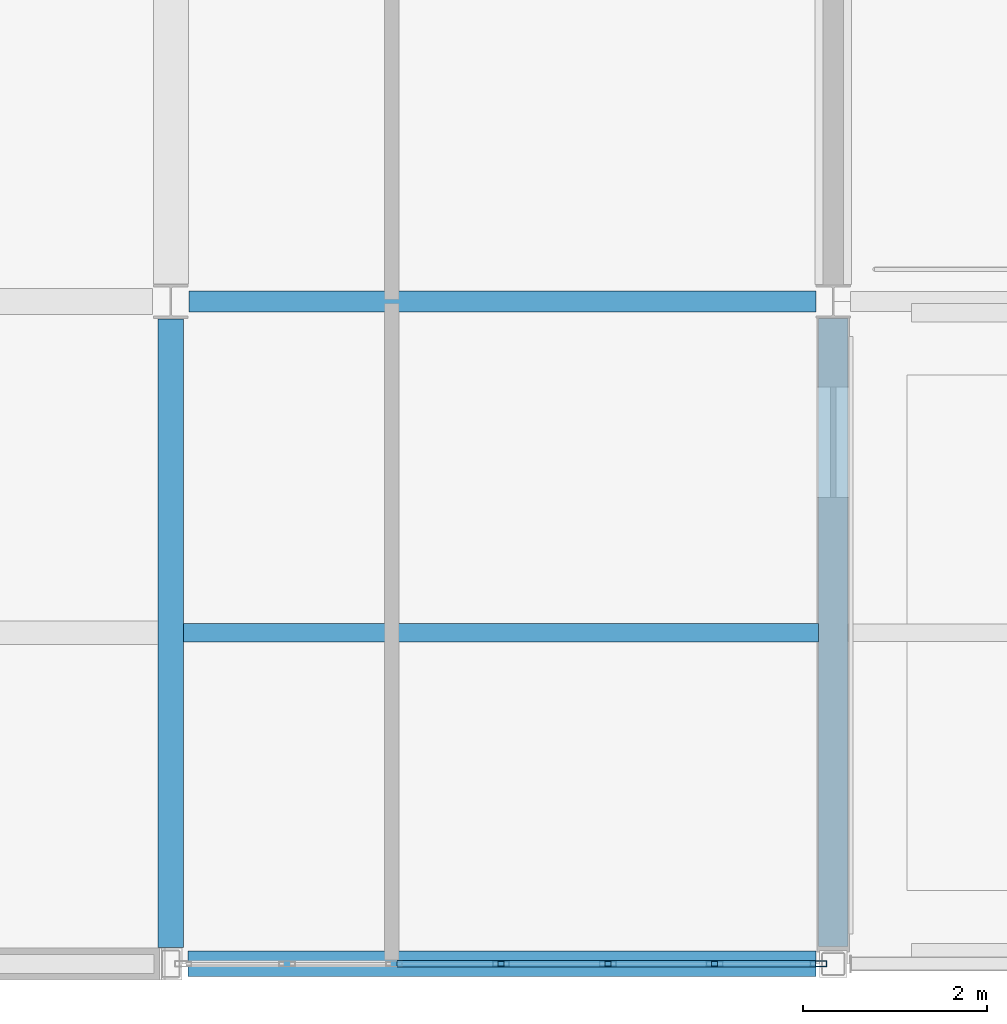
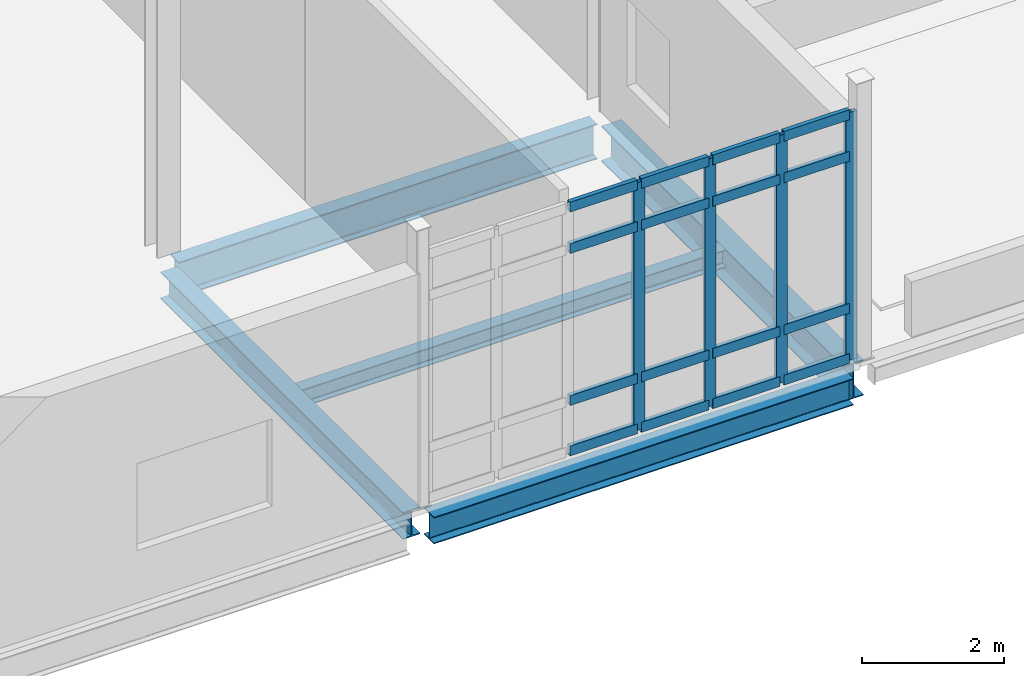
# One storey, part 25 of 72: 20 members, 5 beams, 1 element without a shape of its own.
"""IFC4 building model written with IfcOpenShell, lengths in metres."""

from ifc_helpers import new_model, si_unit, direction, frame, origin, origin_2d, place, context, subcontext, project, spatial, hollow_rectangle, i_section, extrude, material, layer, layer_set, material_profile, profile_set, type_object, element, aggregate, save


model = new_model("IFC4")

# Units and contexts
model_context = context("Model", 3, precision=1e-05, world=origin(), true_north=direction((0.0, 1.0)))
body_context = subcontext(model_context, "Body", "Model", "MODEL_VIEW")
ifc_project = project(units=[si_unit("LENGTHUNIT", "METRE"), si_unit("AREAUNIT", "SQUARE_METRE"), si_unit("VOLUMEUNIT", "CUBIC_METRE"), si_unit("PLANEANGLEUNIT", "RADIAN"), si_unit("MASSUNIT", "GRAM", prefix="KILO")], contexts=[model_context])

# Site, building, storey
site_placement = place(None, origin())
site = spatial("IfcSite", under=ifc_project, at=site_placement, CompositionType="ELEMENT")
building_placement = place(site_placement, origin())
building = spatial("IfcBuilding", under=site, at=building_placement, Name="Calvrana Isthmian Art Gallery", CompositionType="ELEMENT")
storey_placement = place(building_placement, frame((0.0, 0.0, 15.0)))
storey = spatial("IfcBuildingStorey", under=building, at=storey_placement, Name="L03", CompositionType="ELEMENT", Elevation=15.0)

# Beams
ifc_material_1 = material(Name="Steel ASTM A992 Gr 50", Category="steel")
ifc_material_profile_1 = material_profile(ifc_material_1, i_section(OverallWidth=0.279052734375, OverallDepth=0.4619140625, WebThickness=0.0107421875, FlangeThickness=0.017333984375, FilletRadius=0.02001953125, at=origin_2d()), Name="W18X76")
ifc_profile_set_1 = profile_set([ifc_material_profile_1], Name="Steel ASTM A992 Gr 50")
beam_type_1 = type_object("IfcBeamType", Name="BM-G-W18X76", PredefinedType="BEAM", material=ifc_profile_set_1)
beam_1_placement = place(storey_placement, frame((134.583984375, 14.39990234375, -0.47607421875), z_axis=(1.0, 0.0, 0.0), x_axis=(0.0, 1.0, 0.0)))
element("IfcBeam", 1, at=beam_1_placement, inside=storey, type_object=beam_type_1, Name="Girder X L03 18-19/C", PredefinedType="BEAM", context=body_context, shape_type="SweptSolid", body=[
    extrude(i_section(OverallWidth=0.279052734375, OverallDepth=0.4619140625, WebThickness=0.0107421875, FlangeThickness=0.017333984375, FilletRadius=0.02001953125, at=origin_2d()), origin(), (0.0, 0.0, 1.0), 6.82958984375),
])
beam_2_placement = place(storey_placement, frame((134.39990234375, 14.577880859375, -0.47607421875), z_axis=(0.0, 1.0, 0.0), x_axis=(-1.0, 0.0, 0.0)))
element("IfcBeam", 2, at=beam_2_placement, inside=storey, type_object=beam_type_1, Name="Girder Y L03 18/C-D", PredefinedType="BEAM", context=body_context, shape_type="SweptSolid", body=[
    extrude(i_section(OverallWidth=0.279052734375, OverallDepth=0.4619140625, WebThickness=0.0107421875, FlangeThickness=0.017333984375, FilletRadius=0.02001953125, at=origin_2d()), origin(), (0.0, 0.0, 1.0), 6.834228515625),
])
ifc_material_profile_2 = material_profile(ifc_material_1, i_section(OverallWidth=0.324951171875, OverallDepth=0.612060546875, WebThickness=0.0126953125, FlangeThickness=0.01904296875, FilletRadius=0.02197265625, at=origin_2d()), Name="W24X104")
ifc_profile_set_2 = profile_set([ifc_material_profile_2], Name="Steel ASTM A992 Gr 50")
beam_type_2 = type_object("IfcBeamType", Name="BM-G-W24X104", PredefinedType="BEAM", material=ifc_profile_set_2)
beam_3_placement = place(storey_placement, frame((141.60009765625, 14.58642578125, -0.551025390625), z_axis=(0.0, 1.0, 0.0), x_axis=(-1.0, 0.0, 0.0)))
element("IfcBeam", 3, at=beam_3_placement, inside=storey, type_object=beam_type_2, Name="Girder Y L03 19/C-D", PredefinedType="BEAM", context=body_context, shape_type="SweptSolid", body=[
    extrude(i_section(OverallWidth=0.324951171875, OverallDepth=0.612060546875, WebThickness=0.0126953125, FlangeThickness=0.01904296875, FilletRadius=0.02197265625, at=origin_2d()), origin(), (0.0, 0.0, 1.0), 6.8271484375),
])
ifc_material_profile_3 = material_profile(ifc_material_1, i_section(OverallWidth=0.22802734375, OverallDepth=0.60693359375, WebThickness=0.01123046875, FlangeThickness=0.017333984375, FilletRadius=0.02197265625, at=origin_2d()), Name="W24X76")
ifc_profile_set_3 = profile_set([ifc_material_profile_3], Name="Steel ASTM A992 Gr 50")
beam_type_3 = type_object("IfcBeamType", Name="BM-G-W24X76", PredefinedType="BEAM", material=ifc_profile_set_3)
beam_4_placement = place(storey_placement, frame((134.596923828125, 21.60009765625, -0.548583984375), z_axis=(1.0, 0.0, 0.0), x_axis=(0.0, 1.0, 0.0)))
element("IfcBeam", 4, at=beam_4_placement, inside=storey, type_object=beam_type_3, Name="Girder X L03 18-19/D", PredefinedType="BEAM", context=body_context, shape_type="SweptSolid", body=[
    extrude(i_section(OverallWidth=0.22802734375, OverallDepth=0.60693359375, WebThickness=0.01123046875, FlangeThickness=0.017333984375, FilletRadius=0.02197265625, at=origin_2d()), origin(), (0.0, 0.0, 1.0), 6.816650390625),
])
ifc_material_profile_4 = material_profile(ifc_material_1, i_section(OverallWidth=0.202880859375, OverallDepth=0.302001953125, WebThickness=0.007568359375, FlangeThickness=0.01318359375, FilletRadius=0.01611328125, at=origin_2d()), Name="W12X40")
ifc_profile_set_4 = profile_set([ifc_material_profile_4], Name="Steel ASTM A992 Gr 50")
beam_type_4 = type_object("IfcBeamType", Name="BM-J-W12X40", PredefinedType="JOIST", material=ifc_profile_set_4)
beam_5_placement = place(storey_placement, frame((134.53955078125, 18.0, -0.39599609375), z_axis=(1.0, 0.0, 0.0), x_axis=(0.0, 1.0, 0.0)))
element("IfcBeam", 5, at=beam_5_placement, inside=storey, type_object=beam_type_4, Name="Composite joist L03 bay 17-02", PredefinedType="JOIST", context=body_context, shape_type="SweptSolid", body=[
    extrude(i_section(OverallWidth=0.202880859375, OverallDepth=0.302001953125, WebThickness=0.007568359375, FlangeThickness=0.01318359375, FilletRadius=0.01611328125, at=origin_2d()), origin(), (0.0, 0.0, 1.0), 6.89794921875),
])

# Curtain wall, members
ifc_material_2 = material(Name="Anodized bronze aluminium 6063-T6", Category="aluminium")
ifc_layer = layer(ifc_material_2, 0.179931640625, Name="Anodized bronze aluminium 6063-T6")
ifc_layer_set = layer_set([ifc_layer], Name="Anodized bronze aluminium 6063-T6")
curtain_wall_type = type_object("IfcCurtainWallType", Name="CW-STICK-070X43", PredefinedType="NOTDEFINED", material=ifc_layer_set)
curtain_wall_placement = place(storey_placement, origin())
curtain_wall = element("IfcCurtainWall", 6, at=curtain_wall_placement, inside=storey, type_object=curtain_wall_type, Name="Curtain wall CW-188", PredefinedType="NOTDEFINED")
ifc_material_profile_5 = material_profile(ifc_material_2, hollow_rectangle(XDim=0.06494140625, YDim=0.179931640625, WallThickness=0.00439453125, at=origin_2d()), Name="CWM65X180")
ifc_profile_set_5 = profile_set([ifc_material_profile_5], Name="Anodized bronze aluminium 6063-T6")
member_type_1 = type_object("IfcMemberType", Name="CWM-CWM65X180", PredefinedType="MULLION", material=ifc_profile_set_5)
member_1_placement = place(storey_placement, frame((141.4404296875, 14.39990234375, 0.0), z_axis=(0.0, 0.0, 1.0), x_axis=(0.0, -1.0, 0.0)))
member_1 = element("IfcMember", 7, at=member_1_placement, type_object=member_type_1, Name="CW-188 mullion 1", PredefinedType="MULLION", context=body_context, shape_type="SweptSolid", body=[
    extrude(hollow_rectangle(XDim=0.06494140625, YDim=0.179931640625, WallThickness=0.00439453125, at=origin_2d()), origin(), (0.0, 0.0, 1.0), 4.26611328125),
])
member_2_placement = place(storey_placement, frame((140.31103515625, 14.39990234375, 0.0), z_axis=(0.0, 0.0, 1.0), x_axis=(0.0, -1.0, 0.0)))
member_2 = element("IfcMember", 8, at=member_2_placement, type_object=member_type_1, Name="CW-188 mullion 2", PredefinedType="MULLION", context=body_context, shape_type="SweptSolid", body=[
    extrude(hollow_rectangle(XDim=0.06494140625, YDim=0.179931640625, WallThickness=0.00439453125, at=origin_2d()), origin(), (0.0, 0.0, 1.0), 4.26611328125),
])
member_3_placement = place(storey_placement, frame((139.149169921875, 14.39990234375, 0.0), z_axis=(0.0, 0.0, 1.0), x_axis=(0.0, -1.0, 0.0)))
member_3 = element("IfcMember", 9, at=member_3_placement, type_object=member_type_1, Name="CW-188 mullion 3", PredefinedType="MULLION", context=body_context, shape_type="SweptSolid", body=[
    extrude(hollow_rectangle(XDim=0.06494140625, YDim=0.179931640625, WallThickness=0.00439453125, at=origin_2d()), origin(), (0.0, 0.0, 1.0), 4.26611328125),
])
member_4_placement = place(storey_placement, frame((137.9873046875, 14.39990234375, 0.0), z_axis=(0.0, 0.0, 1.0), x_axis=(0.0, -1.0, 0.0)))
member_4 = element("IfcMember", 10, at=member_4_placement, type_object=member_type_1, Name="CW-188 mullion 4", PredefinedType="MULLION", context=body_context, shape_type="SweptSolid", body=[
    extrude(hollow_rectangle(XDim=0.06494140625, YDim=0.179931640625, WallThickness=0.00439453125, at=origin_2d()), origin(), (0.0, 0.0, 1.0), 4.26611328125),
])
ifc_material_profile_6 = material_profile(ifc_material_2, hollow_rectangle(XDim=0.070068359375, YDim=0.169921875, WallThickness=0.00439453125, at=origin_2d()), Name="CWT70X170")
ifc_profile_set_6 = profile_set([ifc_material_profile_6], Name="Anodized bronze aluminium 6063-T6")
member_type_2 = type_object("IfcMemberType", Name="CWT-CWT70X170", PredefinedType="USERDEFINED", material=ifc_profile_set_6)
member_5_placement = place(storey_placement, frame((141.407958984375, 14.39990234375, 0.034912109375), z_axis=(-1.0, 0.0, 0.0), x_axis=(0.0, -1.0, 0.0)))
member_5 = element("IfcMember", 11, at=member_5_placement, type_object=member_type_2, Name="CW-188 transom 1.1", ObjectType="TRANSOM", PredefinedType="USERDEFINED", context=body_context, shape_type="SweptSolid", body=[
    extrude(hollow_rectangle(XDim=0.070068359375, YDim=0.169921875, WallThickness=0.00439453125, at=origin_2d()), origin(), (0.0, 0.0, 1.0), 1.064453125),
])
member_6_placement = place(storey_placement, frame((141.407958984375, 14.39990234375, 0.89990234375), z_axis=(-1.0, 0.0, 0.0), x_axis=(0.0, -1.0, 0.0)))
member_6 = element("IfcMember", 12, at=member_6_placement, type_object=member_type_2, Name="CW-188 transom 1.2", ObjectType="TRANSOM", PredefinedType="USERDEFINED", context=body_context, shape_type="SweptSolid", body=[
    extrude(hollow_rectangle(XDim=0.070068359375, YDim=0.169921875, WallThickness=0.00439453125, at=origin_2d()), origin(), (0.0, 0.0, 1.0), 1.064453125),
])
member_7_placement = place(storey_placement, frame((141.407958984375, 14.39990234375, 3.51611328125), z_axis=(-1.0, 0.0, 0.0), x_axis=(0.0, -1.0, 0.0)))
member_7 = element("IfcMember", 13, at=member_7_placement, type_object=member_type_2, Name="CW-188 transom 1.3", ObjectType="TRANSOM", PredefinedType="USERDEFINED", context=body_context, shape_type="SweptSolid", body=[
    extrude(hollow_rectangle(XDim=0.070068359375, YDim=0.169921875, WallThickness=0.00439453125, at=origin_2d()), origin(), (0.0, 0.0, 1.0), 1.064453125),
])
member_8_placement = place(storey_placement, frame((141.407958984375, 14.39990234375, 4.23095703125), z_axis=(-1.0, 0.0, 0.0), x_axis=(0.0, -1.0, 0.0)))
member_8 = element("IfcMember", 14, at=member_8_placement, type_object=member_type_2, Name="CW-188 transom 1.4", ObjectType="TRANSOM", PredefinedType="USERDEFINED", context=body_context, shape_type="SweptSolid", body=[
    extrude(hollow_rectangle(XDim=0.070068359375, YDim=0.169921875, WallThickness=0.00439453125, at=origin_2d()), origin(), (0.0, 0.0, 1.0), 1.064453125),
])
member_9_placement = place(storey_placement, frame((140.278564453125, 14.39990234375, 0.034912109375), z_axis=(-1.0, 0.0, 0.0), x_axis=(0.0, -1.0, 0.0)))
member_9 = element("IfcMember", 15, at=member_9_placement, type_object=member_type_2, Name="CW-188 transom 2.1", ObjectType="TRANSOM", PredefinedType="USERDEFINED", context=body_context, shape_type="SweptSolid", body=[
    extrude(hollow_rectangle(XDim=0.070068359375, YDim=0.169921875, WallThickness=0.00439453125, at=origin_2d()), origin(), (0.0, 0.0, 1.0), 1.096923828125),
])
member_10_placement = place(storey_placement, frame((140.278564453125, 14.39990234375, 0.89990234375), z_axis=(-1.0, 0.0, 0.0), x_axis=(0.0, -1.0, 0.0)))
member_10 = element("IfcMember", 16, at=member_10_placement, type_object=member_type_2, Name="CW-188 transom 2.2", ObjectType="TRANSOM", PredefinedType="USERDEFINED", context=body_context, shape_type="SweptSolid", body=[
    extrude(hollow_rectangle(XDim=0.070068359375, YDim=0.169921875, WallThickness=0.00439453125, at=origin_2d()), origin(), (0.0, 0.0, 1.0), 1.096923828125),
])
member_11_placement = place(storey_placement, frame((140.278564453125, 14.39990234375, 3.51611328125), z_axis=(-1.0, 0.0, 0.0), x_axis=(0.0, -1.0, 0.0)))
member_11 = element("IfcMember", 17, at=member_11_placement, type_object=member_type_2, Name="CW-188 transom 2.3", ObjectType="TRANSOM", PredefinedType="USERDEFINED", context=body_context, shape_type="SweptSolid", body=[
    extrude(hollow_rectangle(XDim=0.070068359375, YDim=0.169921875, WallThickness=0.00439453125, at=origin_2d()), origin(), (0.0, 0.0, 1.0), 1.096923828125),
])
member_12_placement = place(storey_placement, frame((140.278564453125, 14.39990234375, 4.23095703125), z_axis=(-1.0, 0.0, 0.0), x_axis=(0.0, -1.0, 0.0)))
member_12 = element("IfcMember", 18, at=member_12_placement, type_object=member_type_2, Name="CW-188 transom 2.4", ObjectType="TRANSOM", PredefinedType="USERDEFINED", context=body_context, shape_type="SweptSolid", body=[
    extrude(hollow_rectangle(XDim=0.070068359375, YDim=0.169921875, WallThickness=0.00439453125, at=origin_2d()), origin(), (0.0, 0.0, 1.0), 1.096923828125),
])
member_13_placement = place(storey_placement, frame((139.11669921875, 14.39990234375, 0.034912109375), z_axis=(-1.0, 0.0, 0.0), x_axis=(0.0, -1.0, 0.0)))
member_13 = element("IfcMember", 19, at=member_13_placement, type_object=member_type_2, Name="CW-188 transom 3.1", ObjectType="TRANSOM", PredefinedType="USERDEFINED", context=body_context, shape_type="SweptSolid", body=[
    extrude(hollow_rectangle(XDim=0.070068359375, YDim=0.169921875, WallThickness=0.00439453125, at=origin_2d()), origin(), (0.0, 0.0, 1.0), 1.096923828125),
])
member_14_placement = place(storey_placement, frame((139.11669921875, 14.39990234375, 0.89990234375), z_axis=(-1.0, 0.0, 0.0), x_axis=(0.0, -1.0, 0.0)))
member_14 = element("IfcMember", 20, at=member_14_placement, type_object=member_type_2, Name="CW-188 transom 3.2", ObjectType="TRANSOM", PredefinedType="USERDEFINED", context=body_context, shape_type="SweptSolid", body=[
    extrude(hollow_rectangle(XDim=0.070068359375, YDim=0.169921875, WallThickness=0.00439453125, at=origin_2d()), origin(), (0.0, 0.0, 1.0), 1.096923828125),
])
member_15_placement = place(storey_placement, frame((139.11669921875, 14.39990234375, 3.51611328125), z_axis=(-1.0, 0.0, 0.0), x_axis=(0.0, -1.0, 0.0)))
member_15 = element("IfcMember", 21, at=member_15_placement, type_object=member_type_2, Name="CW-188 transom 3.3", ObjectType="TRANSOM", PredefinedType="USERDEFINED", context=body_context, shape_type="SweptSolid", body=[
    extrude(hollow_rectangle(XDim=0.070068359375, YDim=0.169921875, WallThickness=0.00439453125, at=origin_2d()), origin(), (0.0, 0.0, 1.0), 1.096923828125),
])
member_16_placement = place(storey_placement, frame((139.11669921875, 14.39990234375, 4.23095703125), z_axis=(-1.0, 0.0, 0.0), x_axis=(0.0, -1.0, 0.0)))
member_16 = element("IfcMember", 22, at=member_16_placement, type_object=member_type_2, Name="CW-188 transom 3.4", ObjectType="TRANSOM", PredefinedType="USERDEFINED", context=body_context, shape_type="SweptSolid", body=[
    extrude(hollow_rectangle(XDim=0.070068359375, YDim=0.169921875, WallThickness=0.00439453125, at=origin_2d()), origin(), (0.0, 0.0, 1.0), 1.096923828125),
])
member_17_placement = place(storey_placement, frame((137.954833984375, 14.39990234375, 0.034912109375), z_axis=(-1.0, 0.0, 0.0), x_axis=(0.0, -1.0, 0.0)))
member_17 = element("IfcMember", 23, at=member_17_placement, type_object=member_type_2, Name="CW-188 transom 4.1", ObjectType="TRANSOM", PredefinedType="USERDEFINED", context=body_context, shape_type="SweptSolid", body=[
    extrude(hollow_rectangle(XDim=0.070068359375, YDim=0.169921875, WallThickness=0.00439453125, at=origin_2d()), origin(), (0.0, 0.0, 1.0), 1.096923828125),
])
member_18_placement = place(storey_placement, frame((137.954833984375, 14.39990234375, 0.89990234375), z_axis=(-1.0, 0.0, 0.0), x_axis=(0.0, -1.0, 0.0)))
member_18 = element("IfcMember", 24, at=member_18_placement, type_object=member_type_2, Name="CW-188 transom 4.2", ObjectType="TRANSOM", PredefinedType="USERDEFINED", context=body_context, shape_type="SweptSolid", body=[
    extrude(hollow_rectangle(XDim=0.070068359375, YDim=0.169921875, WallThickness=0.00439453125, at=origin_2d()), origin(), (0.0, 0.0, 1.0), 1.096923828125),
])
member_19_placement = place(storey_placement, frame((137.954833984375, 14.39990234375, 3.51611328125), z_axis=(-1.0, 0.0, 0.0), x_axis=(0.0, -1.0, 0.0)))
member_19 = element("IfcMember", 25, at=member_19_placement, type_object=member_type_2, Name="CW-188 transom 4.3", ObjectType="TRANSOM", PredefinedType="USERDEFINED", context=body_context, shape_type="SweptSolid", body=[
    extrude(hollow_rectangle(XDim=0.070068359375, YDim=0.169921875, WallThickness=0.00439453125, at=origin_2d()), origin(), (0.0, 0.0, 1.0), 1.096923828125),
])
member_20_placement = place(storey_placement, frame((137.954833984375, 14.39990234375, 4.23095703125), z_axis=(-1.0, 0.0, 0.0), x_axis=(0.0, -1.0, 0.0)))
member_20 = element("IfcMember", 26, at=member_20_placement, type_object=member_type_2, Name="CW-188 transom 4.4", ObjectType="TRANSOM", PredefinedType="USERDEFINED", context=body_context, shape_type="SweptSolid", body=[
    extrude(hollow_rectangle(XDim=0.070068359375, YDim=0.169921875, WallThickness=0.00439453125, at=origin_2d()), origin(), (0.0, 0.0, 1.0), 1.096923828125),
])
aggregate(curtain_wall, [member_1, member_2, member_3, member_4, member_5, member_6, member_7, member_8, member_9, member_10, member_11, member_12, member_13, member_14, member_15, member_16, member_17, member_18, member_19, member_20])

save(model, "model.ifc")
